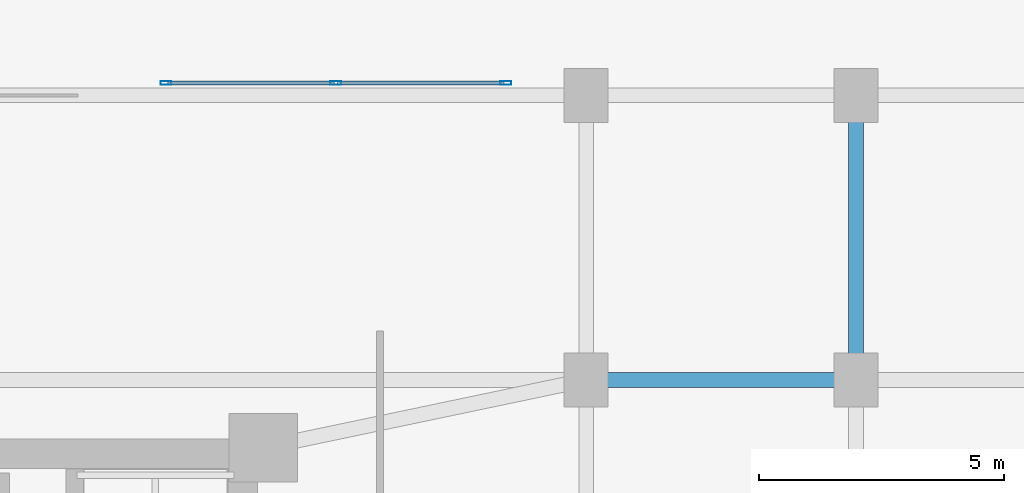
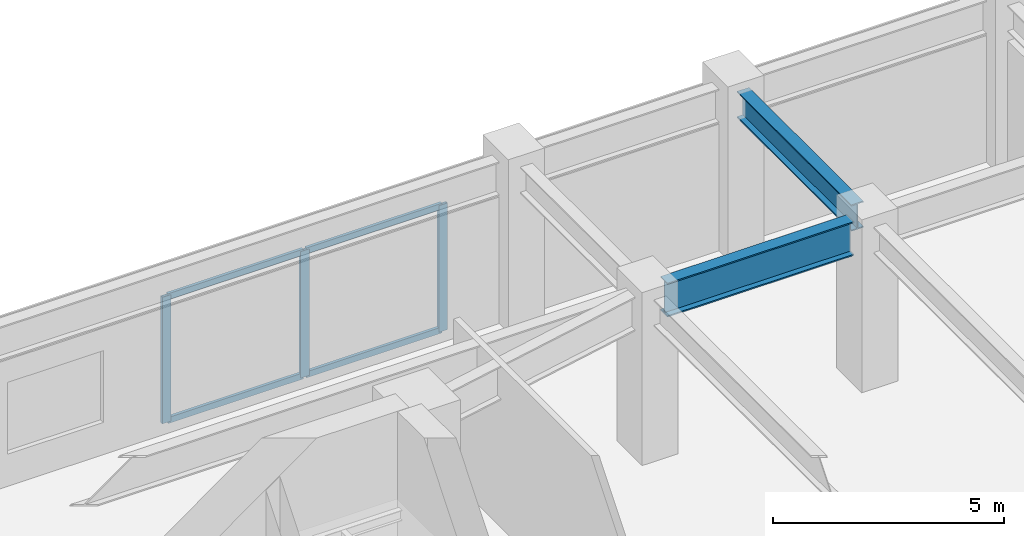
# One storey, part 4 of 10: 7 members, 2 beams, 1 element without a shape of its own.
"""IFC4 building model written with IfcOpenShell, lengths in metres."""

from ifc_helpers import new_model, si_unit, direction, frame, origin, origin_2d, place, context, subcontext, project, spatial, hollow_rectangle, i_section, extrude, material, layer, layer_set, material_profile, profile_set, type_object, element, aggregate, save


model = new_model("IFC4")

# Units and contexts
model_context = context("Model", 3, precision=1e-05, world=origin(), true_north=direction((0.0, 1.0)))
body_context = subcontext(model_context, "Body", "Model", "MODEL_VIEW")
ifc_project = project(units=[si_unit("LENGTHUNIT", "METRE"), si_unit("AREAUNIT", "SQUARE_METRE"), si_unit("VOLUMEUNIT", "CUBIC_METRE"), si_unit("PLANEANGLEUNIT", "RADIAN"), si_unit("MASSUNIT", "GRAM", prefix="KILO")], contexts=[model_context])

# Site, building, storey
site_placement = place(None, origin())
site = spatial("IfcSite", under=ifc_project, at=site_placement, CompositionType="ELEMENT")
building_placement = place(site_placement, origin())
building = spatial("IfcBuilding", under=site, at=building_placement, Name="Varnakorn Sky Granary", CompositionType="ELEMENT")
storey_placement = place(building_placement, frame((0.0, 0.0, 9.199951171875)))
storey = spatial("IfcBuildingStorey", under=building, at=storey_placement, Name="L02", CompositionType="ELEMENT", Elevation=9.199951171875)

# Beams
ifc_material_1 = material(Name="Steel S355JR", Category="steel")
ifc_material_profile_1 = material_profile(ifc_material_1, i_section(OverallWidth=0.300048828125, OverallDepth=0.699951171875, WebThickness=0.01708984375, FlangeThickness=0.031982421875, at=origin_2d()), Name="HE 700 B")
ifc_profile_set_1 = profile_set([ifc_material_profile_1], Name="Steel S355JR")
beam_type_1 = type_object("IfcBeamType", Name="BM-PG-700", PredefinedType="T_BEAM", material=ifc_profile_set_1)
beam_1_placement = place(storey_placement, frame((20.5, 14.419921875, 3.929931640625), z_axis=(0.0, 1.0, 0.0), x_axis=(-1.0, 0.0, 0.0)))
element("IfcBeam", 1, at=beam_1_placement, inside=storey, type_object=beam_type_1, Name="Podium Y-Girder GY28 L02", PredefinedType="T_BEAM", context=body_context, shape_type="SweptSolid", body=[
    extrude(i_section(OverallWidth=0.300048828125, OverallDepth=0.699951171875, WebThickness=0.01708984375, FlangeThickness=0.031982421875, at=origin_2d()), origin(), (0.0, 0.0, 1.0), 4.9599609375),
])
ifc_material_profile_2 = material_profile(ifc_material_1, i_section(OverallWidth=0.300048828125, OverallDepth=0.89990234375, WebThickness=0.0185546875, FlangeThickness=0.034912109375, at=origin_2d()), Name="HE 900 B")
ifc_profile_set_2 = profile_set([ifc_material_profile_2], Name="Steel S355JR")
beam_type_2 = type_object("IfcBeamType", Name="BM-PG-900", PredefinedType="BEAM", material=ifc_profile_set_2)
beam_2_placement = place(storey_placement, frame((15.419921875, 14.0, 3.830078125), z_axis=(1.0, 0.0, 0.0), x_axis=(0.0, 1.0, 0.0)))
element("IfcBeam", 2, at=beam_2_placement, inside=storey, type_object=beam_type_2, Name="Podium X-Girder GX11 L02", PredefinedType="BEAM", context=body_context, shape_type="SweptSolid", body=[
    extrude(i_section(OverallWidth=0.300048828125, OverallDepth=0.89990234375, WebThickness=0.0185546875, FlangeThickness=0.034912109375, at=origin_2d()), origin(), (0.0, 0.0, 1.0), 4.66015625),
])

# Curtain wall, members
ifc_material_2 = material(Name="Anodised Bronze Aluminium Alloy 6063-T6", Category="aluminium")
ifc_layer = layer(ifc_material_2, 0.219970703125, Name="Anodised Bronze Aluminium Alloy 6063-T6")
ifc_layer_set = layer_set([ifc_layer], Name="Anodised Bronze Aluminium Alloy 6063-T6")
curtain_wall_type = type_object("IfcCurtainWallType", Name="CW-POD-1", PredefinedType="USERDEFINED", material=ifc_layer_set)
curtain_wall_placement = place(storey_placement, origin())
curtain_wall = element("IfcCurtainWall", 3, at=curtain_wall_placement, inside=storey, type_object=curtain_wall_type, Name="Unitised Curtain Wall CW1 CW-L02-P2", ObjectType="CURTAIN WALL", PredefinedType="USERDEFINED")
ifc_material_profile_3 = material_profile(ifc_material_2, hollow_rectangle(XDim=0.074951171875, YDim=0.219970703125, WallThickness=0.00390625, at=origin_2d()), Name="ALU MULL 75x220")
ifc_profile_set_3 = profile_set([ifc_material_profile_3], Name="Anodised Bronze Aluminium Alloy 6063-T6")
member_type_1 = type_object("IfcMemberType", Name="CW-POD-1-MULL", PredefinedType="MULLION", material=ifc_profile_set_3)
member_1_placement = place(storey_placement, frame((6.4375, 20.050048828125, 0.0), z_axis=(0.0, 0.0, 1.0), x_axis=(0.0, 1.0, 0.0)))
member_1 = element("IfcMember", 4, at=member_1_placement, type_object=member_type_1, Name="CW1 mullion 1", PredefinedType="MULLION", context=body_context, shape_type="SweptSolid", body=[
    extrude(hollow_rectangle(XDim=0.074951171875, YDim=0.219970703125, WallThickness=0.00390625, at=origin_2d()), origin(), (0.0, 0.0, 1.0), 3.35009765625),
])
member_2_placement = place(storey_placement, frame((9.89990234375, 20.050048828125, 0.0), z_axis=(0.0, 0.0, 1.0), x_axis=(0.0, 1.0, 0.0)))
member_2 = element("IfcMember", 5, at=member_2_placement, type_object=member_type_1, Name="CW1 mullion 2", PredefinedType="MULLION", context=body_context, shape_type="SweptSolid", body=[
    extrude(hollow_rectangle(XDim=0.074951171875, YDim=0.219970703125, WallThickness=0.00390625, at=origin_2d()), origin(), (0.0, 0.0, 1.0), 3.35009765625),
])
member_3_placement = place(storey_placement, frame((13.362548828125, 20.050048828125, 0.0), z_axis=(0.0, 0.0, 1.0), x_axis=(0.0, 1.0, 0.0)))
member_3 = element("IfcMember", 6, at=member_3_placement, type_object=member_type_1, Name="CW1 mullion 3", PredefinedType="MULLION", context=body_context, shape_type="SweptSolid", body=[
    extrude(hollow_rectangle(XDim=0.074951171875, YDim=0.219970703125, WallThickness=0.00390625, at=origin_2d()), origin(), (0.0, 0.0, 1.0), 3.35009765625),
])
ifc_material_profile_4 = material_profile(ifc_material_2, hollow_rectangle(XDim=0.074951171875, YDim=0.159912109375, WallThickness=0.00390625, at=origin_2d()), Name="ALU TRAN 75x160")
ifc_profile_set_4 = profile_set([ifc_material_profile_4], Name="Anodised Bronze Aluminium Alloy 6063-T6")
member_type_2 = type_object("IfcMemberType", Name="CW-POD-1-TRAN", PredefinedType="USERDEFINED", material=ifc_profile_set_4)
member_4_placement = place(storey_placement, frame((6.47509765625, 20.050048828125, 0.03759765625), z_axis=(1.0, 0.0, 0.0), x_axis=(0.0, 1.0, 0.0)))
member_4 = element("IfcMember", 7, at=member_4_placement, type_object=member_type_2, Name="CW1 transom 1.1", ObjectType="TRANSOM", PredefinedType="USERDEFINED", context=body_context, shape_type="SweptSolid", body=[
    extrude(hollow_rectangle(XDim=0.074951171875, YDim=0.159912109375, WallThickness=0.00390625, at=origin_2d()), origin(), (0.0, 0.0, 1.0), 3.387451171875),
])
member_5_placement = place(storey_placement, frame((6.47509765625, 20.050048828125, 3.3125), z_axis=(1.0, 0.0, 0.0), x_axis=(0.0, 1.0, 0.0)))
member_5 = element("IfcMember", 8, at=member_5_placement, type_object=member_type_2, Name="CW1 transom 1.2", ObjectType="TRANSOM", PredefinedType="USERDEFINED", context=body_context, shape_type="SweptSolid", body=[
    extrude(hollow_rectangle(XDim=0.074951171875, YDim=0.159912109375, WallThickness=0.00390625, at=origin_2d()), origin(), (0.0, 0.0, 1.0), 3.387451171875),
])
member_6_placement = place(storey_placement, frame((9.9375, 20.050048828125, 0.03759765625), z_axis=(1.0, 0.0, 0.0), x_axis=(0.0, 1.0, 0.0)))
member_6 = element("IfcMember", 9, at=member_6_placement, type_object=member_type_2, Name="CW1 transom 2.1", ObjectType="TRANSOM", PredefinedType="USERDEFINED", context=body_context, shape_type="SweptSolid", body=[
    extrude(hollow_rectangle(XDim=0.074951171875, YDim=0.159912109375, WallThickness=0.00390625, at=origin_2d()), origin(), (0.0, 0.0, 1.0), 3.387451171875),
])
member_7_placement = place(storey_placement, frame((9.9375, 20.050048828125, 3.3125), z_axis=(1.0, 0.0, 0.0), x_axis=(0.0, 1.0, 0.0)))
member_7 = element("IfcMember", 10, at=member_7_placement, type_object=member_type_2, Name="CW1 transom 2.2", ObjectType="TRANSOM", PredefinedType="USERDEFINED", context=body_context, shape_type="SweptSolid", body=[
    extrude(hollow_rectangle(XDim=0.074951171875, YDim=0.159912109375, WallThickness=0.00390625, at=origin_2d()), origin(), (0.0, 0.0, 1.0), 3.387451171875),
])
aggregate(curtain_wall, [member_1, member_2, member_3, member_4, member_5, member_6, member_7])

save(model, "model.ifc")
